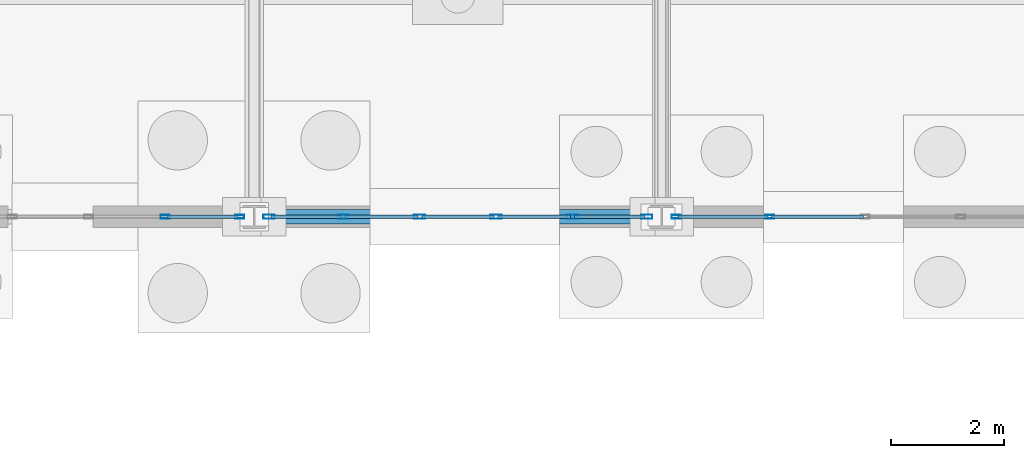
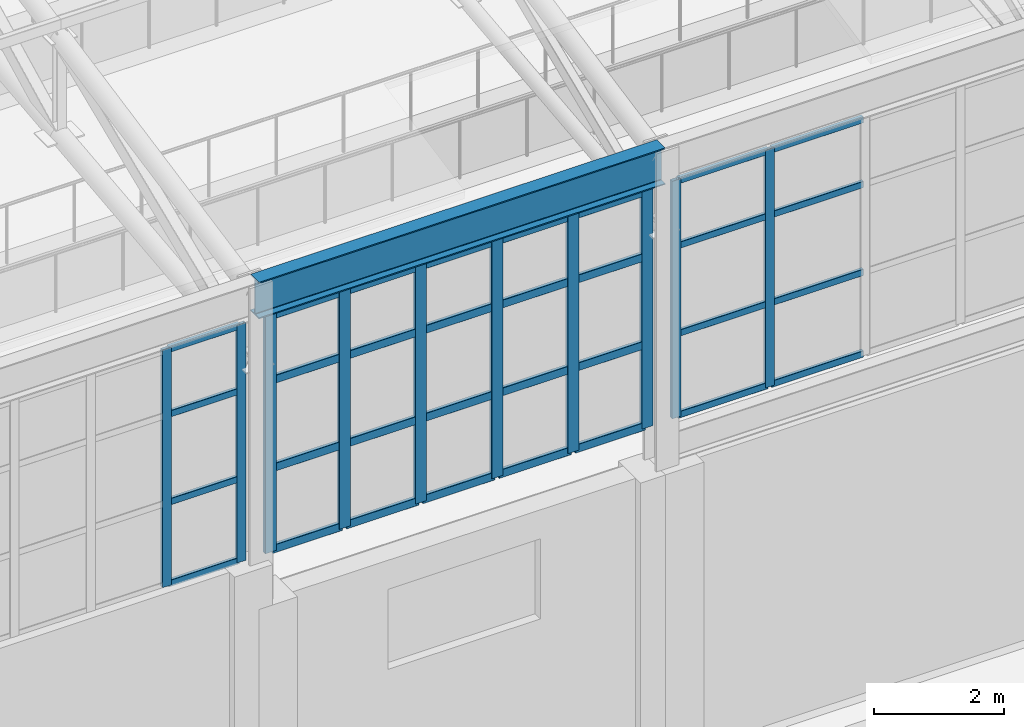
# One storey, part 125 of 293: 42 members, 1 beam, 3 elements without a shape of their own.
"""IFC4 building model written with IfcOpenShell, lengths in metres."""

import ifcopenshell
import ifcopenshell.guid

model = None  # the IFC model being written
_history = None  # IfcOwnerHistory: only IFC2X3 demands one
_inside = {}  # id of a spatial element -> (the spatial element, [elements in it])
_under = {}  # id of a project, library or spatial element -> (it, [spatial elements below it])
_declared = {}  # id of a project -> (the project, [libraries it declares])
_typed = {}  # id of a type object -> (the type object, [elements of that type])
_made_of = {}  # id of a material, layer set ... -> (it, [elements and type objects made of it])


def new_model(schema):
    """Start an empty IFC model of exactly this schema.

    Asked for "IFC4X3", IfcOpenShell would pick the latest addendum, in which some entities
    have other attributes; the version numbers below select the first issue.
    IFC2X3 requires an IfcOwnerHistory on every rooted entity: one is made here for all.
    """
    global model, _history
    if schema == "IFC4X3":
        model = ifcopenshell.file(schema_version=(4, 3, 0, 0))
    else:
        model = ifcopenshell.file(schema=schema)
    _inside.clear()
    _under.clear()
    _declared.clear()
    _typed.clear()
    _made_of.clear()
    _history = None
    if model.schema == "IFC2X3":
        org = make("IfcOrganization", Name="unknown")
        user = make(
            "IfcPersonAndOrganization",
            ThePerson=make("IfcPerson", FamilyName="unknown"),
            TheOrganization=org,
        )
        app = make(
            "IfcApplication",
            ApplicationDeveloper=org,
            Version="unknown",
            ApplicationFullName="unknown",
            ApplicationIdentifier="unknown",
        )
        _history = make(
            "IfcOwnerHistory",
            OwningUser=user,
            OwningApplication=app,
            ChangeAction="ADDED",
            CreationDate=0,
        )
    return model


def make(cls, **values):
    """One entity of the class cls with the attributes given. An attribute that is None is left unset."""
    return model.create_entity(
        cls, **{name: value for name, value in values.items() if value is not None}
    )


def rooted(cls, **values):
    """An entity with a GlobalId (a new one), such as an element, a storey or a relation."""
    return make(cls, GlobalId=ifcopenshell.guid.new(), OwnerHistory=_history, **values)


def si_unit(unit_type, name, prefix=None):
    """IfcSIUnit, for example si_unit("LENGTHUNIT", "METRE", prefix="MILLI")."""
    return make("IfcSIUnit", UnitType=unit_type, Prefix=prefix, Name=name)


def assignment(units):
    """IfcUnitAssignment: the units of a project."""
    return None if units is None else make("IfcUnitAssignment", Units=units)


def point(xyz):
    """IfcCartesianPoint."""
    return None if xyz is None else make("IfcCartesianPoint", Coordinates=xyz)


def direction(xyz):
    """IfcDirection."""
    return None if xyz is None else make("IfcDirection", DirectionRatios=xyz)


def frame(location, z_axis=None, x_axis=None):
    """IfcAxis2Placement3D, a coordinate frame: its origin and axes. An axis left out is left unset."""
    return make(
        "IfcAxis2Placement3D",
        Location=point(location),
        Axis=direction(z_axis),
        RefDirection=direction(x_axis),
    )


def frame_2d(location, x_axis=None):
    """IfcAxis2Placement2D, a coordinate frame in the plane: its origin and x axis."""
    return make(
        "IfcAxis2Placement2D", Location=point(location), RefDirection=direction(x_axis)
    )


def origin():
    """The frame at (0, 0, 0) with its axes left unset."""
    return frame((0.0, 0.0, 0.0))


def origin_2d():
    """The frame at (0, 0) in the plane with its x axis left unset."""
    return frame_2d((0.0, 0.0))


def place(relative_to, where):
    """IfcLocalPlacement: puts the frame where relative to a parent placement (None: the world)."""
    return make(
        "IfcLocalPlacement", PlacementRelTo=relative_to, RelativePlacement=where
    )


def context(
    kind, dimensions, precision=None, world=None, true_north=None, identifier=None
):
    """IfcGeometricRepresentationContext, for example the 3D "Model" context."""
    return make(
        "IfcGeometricRepresentationContext",
        ContextIdentifier=identifier,
        ContextType=kind,
        CoordinateSpaceDimension=dimensions,
        Precision=precision,
        WorldCoordinateSystem=world,
        TrueNorth=true_north,
    )


def subcontext(parent, identifier, kind, view, scale=None):
    """IfcGeometricRepresentationSubContext, for example "Body" below "Model"."""
    return make(
        "IfcGeometricRepresentationSubContext",
        ContextIdentifier=identifier,
        ContextType=kind,
        ParentContext=parent,
        TargetScale=scale,
        TargetView=view,
    )


def project(units=None, contexts=None):
    """IfcProject with its units and contexts."""
    return rooted(
        "IfcProject",
        Name="project",
        RepresentationContexts=contexts,
        UnitsInContext=assignment(units),
    )


def spatial(cls, under=None, at=None, **own):
    """A site, building, storey or space (cls), placed at a placement, below another one or the project."""
    s = rooted(cls, ObjectPlacement=at, **own)
    if under is not None:
        _under.setdefault(under.id(), (under, []))[1].append(s)
    return s


def profile(cls, at=None, kind="AREA", **sizes):
    """A parametric profile (cls). Its sizes go by their IFC names, for example OverallWidth=200.0."""
    return make(cls, ProfileType=kind, Position=at, **sizes)


def hollow_rectangle(**sizes):
    """IfcRectangleHollowProfileDef."""
    return profile("IfcRectangleHollowProfileDef", **sizes)


def i_section(**sizes):
    """IfcIShapeProfileDef."""
    return profile("IfcIShapeProfileDef", **sizes)


def extrude(swept, where, along, depth):
    """IfcExtrudedAreaSolid: the profile swept, set in the frame where, extruded along a direction by depth."""
    return make(
        "IfcExtrudedAreaSolid",
        SweptArea=swept,
        Position=where,
        ExtrudedDirection=direction(along),
        Depth=depth,
    )


def shape(context_of_items, identifier, shape_type, items):
    """IfcShapeRepresentation: the items that make up one representation, for example the "Body"."""
    return make(
        "IfcShapeRepresentation",
        ContextOfItems=context_of_items,
        RepresentationIdentifier=identifier,
        RepresentationType=shape_type,
        Items=items,
    )


def material(Name=None, Category=None):
    """IfcMaterial."""
    return make("IfcMaterial", Name=Name, Category=Category)


def layer(
    of_material, thickness, ventilated=None, Name=None, Category=None, Priority=None
):
    """IfcMaterialLayer: one layer of a wall or slab, of a material (None: an air gap)."""
    return make(
        "IfcMaterialLayer",
        Material=of_material,
        LayerThickness=thickness,
        IsVentilated=ventilated,
        Name=Name,
        Category=Category,
        Priority=Priority,
    )


def layer_set(layers, Name=None):
    """IfcMaterialLayerSet."""
    return make("IfcMaterialLayerSet", MaterialLayers=layers, LayerSetName=Name)


def material_profile(
    of_material, cross_section, Name=None, Category=None, Priority=None
):
    """IfcMaterialProfile: a cross section and its material."""
    return make(
        "IfcMaterialProfile",
        Name=Name,
        Material=of_material,
        Profile=cross_section,
        Priority=Priority,
        Category=Category,
    )


def profile_set(profiles, Name=None, composite=None):
    """IfcMaterialProfileSet."""
    return make(
        "IfcMaterialProfileSet",
        Name=Name,
        MaterialProfiles=profiles,
        CompositeProfile=composite,
    )


def made_of(thing, what):
    """Note that an element or type object is made of a material, layer set ...; save() writes the relation."""
    if what is not None:
        _made_of.setdefault(what.id(), (what, []))[1].append(thing)
    return thing


def type_object(cls, material=None, **own):
    """A type object (cls), such as IfcWallType, which elements share."""
    return made_of(rooted(cls, **own), material)


def element(
    cls,
    number,
    at=None,
    inside=None,
    cuts=None,
    type_object=None,
    material=None,
    context=None,
    identifier="Body",
    shape_type=None,
    held_by="IfcProductDefinitionShape",
    body=None,
    shapes=None,
    **own,
):
    """One element of the class cls, such as IfcWall. Its Tag is "e" and its number.

    at: its placement. inside: the storey or other place that contains it. cuts: it is an
    opening in that element (IfcRelVoidsElement). A single representation is given by context,
    identifier, shape_type and body (its items); several are given by shapes. held_by: the class
    of the entity that holds the representations. save() writes the other relations.
    """
    e = rooted(cls, Tag="e%d" % number, ObjectPlacement=at, **own)
    if body is not None:
        shapes = [shape(context, identifier, shape_type, body)]
    if shapes is not None:
        e.Representation = make(held_by, Representations=shapes)
    if inside is not None:
        _inside.setdefault(inside.id(), (inside, []))[1].append(e)
    if cuts is not None:
        rooted(
            "IfcRelVoidsElement", RelatingBuildingElement=cuts, RelatedOpeningElement=e
        )
    if type_object is not None:
        _typed.setdefault(type_object.id(), (type_object, []))[1].append(e)
    return made_of(e, material)


def aggregate(whole, parts):
    """IfcRelAggregates: a whole, such as a stair, and the parts it consists of."""
    return rooted("IfcRelAggregates", RelatingObject=whole, RelatedObjects=parts)


def save(model, path):
    """Write the relations noted so far, then the file.

    IfcRelAggregates (storeys below a building ...), IfcRelContainedInSpatialStructure (elements
    in a storey), IfcRelDefinesByType, IfcRelAssociatesMaterial and IfcRelDeclares: one each for
    every whole, place, type object, material and project.
    """
    for whole, parts in _under.values():
        aggregate(whole, parts)
    for where, things in _inside.values():
        rooted(
            "IfcRelContainedInSpatialStructure",
            RelatedElements=things,
            RelatingStructure=where,
        )
    for kind, things in _typed.values():
        rooted("IfcRelDefinesByType", RelatedObjects=things, RelatingType=kind)
    for what, things in _made_of.values():
        rooted("IfcRelAssociatesMaterial", RelatedObjects=things, RelatingMaterial=what)
    for by, libraries in _declared.values():
        rooted("IfcRelDeclares", RelatingContext=by, RelatedDefinitions=libraries)
    model.write(path)


model = new_model("IFC4")

# Units and contexts
model_context = context("Model", 3, precision=1e-05, world=origin(), true_north=direction((0.0, 1.0)))
body_context = subcontext(model_context, "Body", "Model", "MODEL_VIEW")
ifc_project = project(units=[si_unit("LENGTHUNIT", "METRE"), si_unit("AREAUNIT", "SQUARE_METRE"), si_unit("VOLUMEUNIT", "CUBIC_METRE"), si_unit("PLANEANGLEUNIT", "RADIAN"), si_unit("MASSUNIT", "GRAM", prefix="KILO")], contexts=[model_context])

# Site, building, storey
site_placement = place(None, origin())
site = spatial("IfcSite", under=ifc_project, at=site_placement, CompositionType="ELEMENT")
building_placement = place(site_placement, origin())
building = spatial("IfcBuilding", under=site, at=building_placement, Name="Kemerveld Promenade Tramway Depot", CompositionType="ELEMENT")
storey_placement = place(building_placement, origin())
storey = spatial("IfcBuildingStorey", under=building, at=storey_placement, Name="L00", CompositionType="ELEMENT", Elevation=0.0)

# Beam
ifc_material_1 = material(Name="Steel S355", Category="steel")
ifc_material_profile_1 = material_profile(ifc_material_1, i_section(OverallWidth=0.25439453125, OverallDepth=0.6875, WebThickness=0.01318359375, FlangeThickness=0.02099609375, FilletRadius=0.01513671875, at=origin_2d()), Name="686x254x152 UB")
ifc_profile_set_1 = profile_set([ifc_material_profile_1], Name="Steel S355")
beam_type = type_object("IfcBeamType", Name="BM-G03", PredefinedType="BEAM", material=ifc_profile_set_1)
beam_placement = place(storey_placement, frame((64.800048828125, 84.0, 11.056396484375), z_axis=(1.0, 0.0, 0.0), x_axis=(0.0, 1.0, 0.0)))
element("IfcBeam", 1, at=beam_placement, inside=storey, type_object=beam_type, Name="BM-SHED-EAVE-N-10", PredefinedType="BEAM", context=body_context, shape_type="SweptSolid", body=[
    extrude(i_section(OverallWidth=0.25439453125, OverallDepth=0.6875, WebThickness=0.01318359375, FlangeThickness=0.02099609375, FilletRadius=0.01513671875, at=origin_2d()), origin(), (0.0, 0.0, 1.0), 7.199951171875),
])

# Curtain wall, members
ifc_material_2 = material(Name="Bronze anodised aluminium and solar glass", Category="aluminium")
ifc_layer_1 = layer(ifc_material_2, 0.159912109375)
ifc_layer_set_1 = layer_set([ifc_layer_1], Name="CW-SYS-07")
curtain_wall_type_1 = type_object("IfcCurtainWallType", Name="CW-SYS-07", PredefinedType="USERDEFINED", material=ifc_layer_set_1)
curtain_wall_1_placement = place(storey_placement, origin())
curtain_wall_1 = element("IfcCurtainWall", 2, at=curtain_wall_1_placement, inside=storey, type_object=curtain_wall_type_1, Name="CW-V1-S-04", ObjectType="GLAZED_CURTAIN_WALL", PredefinedType="USERDEFINED")
ifc_material_3 = material(Name="Bronze anodised aluminium", Category="aluminium")
ifc_material_profile_2 = material_profile(ifc_material_3, hollow_rectangle(XDim=0.06494140625, YDim=0.159912109375, WallThickness=0.00390625, InnerFilletRadius=0.001953125, OuterFilletRadius=0.00390625, at=origin_2d()), Name="CW-MUL-160x65")
ifc_profile_set_2 = profile_set([ifc_material_profile_2], Name="Bronze anodised aluminium")
member_type_1 = type_object("IfcMemberType", Name="CW-MUL-A", PredefinedType="MULLION", material=ifc_profile_set_2)
member_1_placement = place(storey_placement, frame((64.544189453125, 84.0, 6.199951171875), z_axis=(0.0, 0.0, 1.0), x_axis=(0.0, -1.0, 0.0)))
member_1 = element("IfcMember", 3, at=member_1_placement, type_object=member_type_1, Name="CW07 mullion 1", PredefinedType="MULLION", context=body_context, shape_type="SweptSolid", body=[
    extrude(hollow_rectangle(XDim=0.06494140625, YDim=0.159912109375, WallThickness=0.00390625, InnerFilletRadius=0.001953125, OuterFilletRadius=0.00390625, at=origin_2d()), origin(), (0.0, 0.0, 1.0), 4.449951171875),
])
member_2_placement = place(storey_placement, frame((63.22607421875, 84.0, 6.199951171875), z_axis=(0.0, 0.0, 1.0), x_axis=(0.0, -1.0, 0.0)))
member_2 = element("IfcMember", 4, at=member_2_placement, type_object=member_type_1, Name="CW07 mullion 2", PredefinedType="MULLION", context=body_context, shape_type="SweptSolid", body=[
    extrude(hollow_rectangle(XDim=0.06494140625, YDim=0.159912109375, WallThickness=0.00390625, InnerFilletRadius=0.001953125, OuterFilletRadius=0.00390625, at=origin_2d()), origin(), (0.0, 0.0, 1.0), 4.449951171875),
])

ifc_layer_2 = layer(ifc_material_2, 0.159912109375)
ifc_layer_set_2 = layer_set([ifc_layer_2], Name="CW-SYS-09")
curtain_wall_type_2 = type_object("IfcCurtainWallType", Name="CW-SYS-09", PredefinedType="USERDEFINED", material=ifc_layer_set_2)
curtain_wall_2_placement = place(storey_placement, origin())
curtain_wall_2 = element("IfcCurtainWall", 5, at=curtain_wall_2_placement, inside=storey, type_object=curtain_wall_type_2, Name="CW-V1-S-06", ObjectType="GLAZED_CURTAIN_WALL", PredefinedType="USERDEFINED")
member_3_placement = place(storey_placement, frame((73.91162109375, 84.0, 6.199951171875), z_axis=(0.0, 0.0, 1.0), x_axis=(0.0, -1.0, 0.0)))
member_3 = element("IfcMember", 6, at=member_3_placement, type_object=member_type_1, Name="CW09 mullion 4", PredefinedType="MULLION", context=body_context, shape_type="SweptSolid", body=[
    extrude(hollow_rectangle(XDim=0.06494140625, YDim=0.159912109375, WallThickness=0.00390625, InnerFilletRadius=0.001953125, OuterFilletRadius=0.00390625, at=origin_2d()), origin(), (0.0, 0.0, 1.0), 4.449951171875),
])
member_4_placement = place(storey_placement, frame((72.255615234375, 84.0, 6.199951171875), z_axis=(0.0, 0.0, 1.0), x_axis=(0.0, -1.0, 0.0)))
member_4 = element("IfcMember", 7, at=member_4_placement, type_object=member_type_1, Name="CW09 mullion 5", PredefinedType="MULLION", context=body_context, shape_type="SweptSolid", body=[
    extrude(hollow_rectangle(XDim=0.06494140625, YDim=0.159912109375, WallThickness=0.00390625, InnerFilletRadius=0.001953125, OuterFilletRadius=0.00390625, at=origin_2d()), origin(), (0.0, 0.0, 1.0), 4.449951171875),
])

ifc_layer_3 = layer(ifc_material_2, 0.199951171875)
ifc_layer_set_3 = layer_set([ifc_layer_3], Name="CW-SYS-08")
curtain_wall_type_3 = type_object("IfcCurtainWallType", Name="CW-SYS-08", PredefinedType="USERDEFINED", material=ifc_layer_set_3)
curtain_wall_3_placement = place(storey_placement, origin())
curtain_wall_3 = element("IfcCurtainWall", 8, at=curtain_wall_3_placement, inside=storey, type_object=curtain_wall_type_3, Name="CW-V1-S-05", ObjectType="GLAZED_CURTAIN_WALL", PredefinedType="USERDEFINED")
ifc_material_profile_3 = material_profile(ifc_material_3, hollow_rectangle(XDim=0.074951171875, YDim=0.199951171875, WallThickness=0.0048828125, InnerFilletRadius=0.001953125, OuterFilletRadius=0.0048828125, at=origin_2d()), Name="CW-MUL-200x75")
ifc_profile_set_3 = profile_set([ifc_material_profile_3], Name="Bronze anodised aluminium")
member_type_2 = type_object("IfcMemberType", Name="CW-MUL-B", PredefinedType="MULLION", material=ifc_profile_set_3)
member_5_placement = place(storey_placement, frame((71.7392578125, 84.0, 6.199951171875), z_axis=(0.0, 0.0, 1.0), x_axis=(0.0, -1.0, 0.0)))
member_5 = element("IfcMember", 9, at=member_5_placement, type_object=member_type_2, Name="CW08 mullion 1", PredefinedType="MULLION", context=body_context, shape_type="SweptSolid", body=[
    extrude(hollow_rectangle(XDim=0.074951171875, YDim=0.199951171875, WallThickness=0.0048828125, InnerFilletRadius=0.001953125, OuterFilletRadius=0.0048828125, at=origin_2d()), origin(), (0.0, 0.0, 1.0), 4.449951171875),
])
member_6_placement = place(storey_placement, frame((70.426025390625, 84.0, 6.199951171875), z_axis=(0.0, 0.0, 1.0), x_axis=(0.0, -1.0, 0.0)))
member_6 = element("IfcMember", 10, at=member_6_placement, type_object=member_type_2, Name="CW08 mullion 2", PredefinedType="MULLION", context=body_context, shape_type="SweptSolid", body=[
    extrude(hollow_rectangle(XDim=0.074951171875, YDim=0.199951171875, WallThickness=0.0048828125, InnerFilletRadius=0.001953125, OuterFilletRadius=0.0048828125, at=origin_2d()), origin(), (0.0, 0.0, 1.0), 4.449951171875),
])
member_7_placement = place(storey_placement, frame((69.075439453125, 84.0, 6.199951171875), z_axis=(0.0, 0.0, 1.0), x_axis=(0.0, -1.0, 0.0)))
member_7 = element("IfcMember", 11, at=member_7_placement, type_object=member_type_2, Name="CW08 mullion 3", PredefinedType="MULLION", context=body_context, shape_type="SweptSolid", body=[
    extrude(hollow_rectangle(XDim=0.074951171875, YDim=0.199951171875, WallThickness=0.0048828125, InnerFilletRadius=0.001953125, OuterFilletRadius=0.0048828125, at=origin_2d()), origin(), (0.0, 0.0, 1.0), 4.449951171875),
])
member_8_placement = place(storey_placement, frame((67.724609375, 84.0, 6.199951171875), z_axis=(0.0, 0.0, 1.0), x_axis=(0.0, -1.0, 0.0)))
member_8 = element("IfcMember", 12, at=member_8_placement, type_object=member_type_2, Name="CW08 mullion 4", PredefinedType="MULLION", context=body_context, shape_type="SweptSolid", body=[
    extrude(hollow_rectangle(XDim=0.074951171875, YDim=0.199951171875, WallThickness=0.0048828125, InnerFilletRadius=0.001953125, OuterFilletRadius=0.0048828125, at=origin_2d()), origin(), (0.0, 0.0, 1.0), 4.449951171875),
])
member_9_placement = place(storey_placement, frame((66.3740234375, 84.0, 6.199951171875), z_axis=(0.0, 0.0, 1.0), x_axis=(0.0, -1.0, 0.0)))
member_9 = element("IfcMember", 13, at=member_9_placement, type_object=member_type_2, Name="CW08 mullion 5", PredefinedType="MULLION", context=body_context, shape_type="SweptSolid", body=[
    extrude(hollow_rectangle(XDim=0.074951171875, YDim=0.199951171875, WallThickness=0.0048828125, InnerFilletRadius=0.001953125, OuterFilletRadius=0.0048828125, at=origin_2d()), origin(), (0.0, 0.0, 1.0), 4.449951171875),
])
member_10_placement = place(storey_placement, frame((65.060791015625, 84.0, 6.199951171875), z_axis=(0.0, 0.0, 1.0), x_axis=(0.0, -1.0, 0.0)))
member_10 = element("IfcMember", 14, at=member_10_placement, type_object=member_type_2, Name="CW08 mullion 6", PredefinedType="MULLION", context=body_context, shape_type="SweptSolid", body=[
    extrude(hollow_rectangle(XDim=0.074951171875, YDim=0.199951171875, WallThickness=0.0048828125, InnerFilletRadius=0.001953125, OuterFilletRadius=0.0048828125, at=origin_2d()), origin(), (0.0, 0.0, 1.0), 4.449951171875),
])

# Member
ifc_material_profile_4 = material_profile(ifc_material_3, hollow_rectangle(XDim=0.06005859375, YDim=0.1201171875, WallThickness=0.00390625, InnerFilletRadius=0.001953125, OuterFilletRadius=0.00390625, at=origin_2d()), Name="CW-TRN-120x60")
ifc_profile_set_4 = profile_set([ifc_material_profile_4], Name="Bronze anodised aluminium")
member_type_3 = type_object("IfcMemberType", Name="CW-TRN-A", PredefinedType="USERDEFINED", material=ifc_profile_set_4)
member_11_placement = place(storey_placement, frame((64.51171875, 84.0, 6.22998046875), z_axis=(-1.0, 0.0, 0.0), x_axis=(0.0, -1.0, 0.0)))
member_11 = element("IfcMember", 15, at=member_11_placement, type_object=member_type_3, Name="CW07 transom 1.1", ObjectType="TRANSOM", PredefinedType="USERDEFINED", context=body_context, shape_type="SweptSolid", body=[
    extrude(hollow_rectangle(XDim=0.06005859375, YDim=0.1201171875, WallThickness=0.00390625, InnerFilletRadius=0.001953125, OuterFilletRadius=0.00390625, at=origin_2d()), origin(), (0.0, 0.0, 1.0), 1.253173828125),
])

member_12_placement = place(storey_placement, frame((64.51171875, 84.0, 7.758056640625), z_axis=(-1.0, 0.0, 0.0), x_axis=(0.0, -1.0, 0.0)))
member_12 = element("IfcMember", 16, at=member_12_placement, type_object=member_type_3, Name="CW07 transom 1.2", ObjectType="TRANSOM", PredefinedType="USERDEFINED", context=body_context, shape_type="SweptSolid", body=[
    extrude(hollow_rectangle(XDim=0.06005859375, YDim=0.1201171875, WallThickness=0.00390625, InnerFilletRadius=0.001953125, OuterFilletRadius=0.00390625, at=origin_2d()), origin(), (0.0, 0.0, 1.0), 1.253173828125),
])

member_13_placement = place(storey_placement, frame((64.51171875, 84.0, 9.404052734375), z_axis=(-1.0, 0.0, 0.0), x_axis=(0.0, -1.0, 0.0)))
member_13 = element("IfcMember", 17, at=member_13_placement, type_object=member_type_3, Name="CW07 transom 1.3", ObjectType="TRANSOM", PredefinedType="USERDEFINED", context=body_context, shape_type="SweptSolid", body=[
    extrude(hollow_rectangle(XDim=0.06005859375, YDim=0.1201171875, WallThickness=0.00390625, InnerFilletRadius=0.001953125, OuterFilletRadius=0.00390625, at=origin_2d()), origin(), (0.0, 0.0, 1.0), 1.253173828125),
])

member_14_placement = place(storey_placement, frame((64.51171875, 84.0, 10.6201171875), z_axis=(-1.0, 0.0, 0.0), x_axis=(0.0, -1.0, 0.0)))
member_14 = element("IfcMember", 18, at=member_14_placement, type_object=member_type_3, Name="CW07 transom 1.4", ObjectType="TRANSOM", PredefinedType="USERDEFINED", context=body_context, shape_type="SweptSolid", body=[
    extrude(hollow_rectangle(XDim=0.06005859375, YDim=0.1201171875, WallThickness=0.00390625, InnerFilletRadius=0.001953125, OuterFilletRadius=0.00390625, at=origin_2d()), origin(), (0.0, 0.0, 1.0), 1.253173828125),
])

aggregate(curtain_wall_1, [member_1, member_2, member_11, member_12, member_13, member_14])

member_15_placement = place(storey_placement, frame((75.5673828125, 84.0, 6.22998046875), z_axis=(-1.0, 0.0, 0.0), x_axis=(0.0, -1.0, 0.0)))
member_15 = element("IfcMember", 19, at=member_15_placement, type_object=member_type_3, Name="CW09 transom 3.1", ObjectType="TRANSOM", PredefinedType="USERDEFINED", context=body_context, shape_type="SweptSolid", body=[
    extrude(hollow_rectangle(XDim=0.06005859375, YDim=0.1201171875, WallThickness=0.00390625, InnerFilletRadius=0.001953125, OuterFilletRadius=0.00390625, at=origin_2d()), origin(), (0.0, 0.0, 1.0), 1.623291015625),
])

member_16_placement = place(storey_placement, frame((75.5673828125, 84.0, 7.758056640625), z_axis=(-1.0, 0.0, 0.0), x_axis=(0.0, -1.0, 0.0)))
member_16 = element("IfcMember", 20, at=member_16_placement, type_object=member_type_3, Name="CW09 transom 3.2", ObjectType="TRANSOM", PredefinedType="USERDEFINED", context=body_context, shape_type="SweptSolid", body=[
    extrude(hollow_rectangle(XDim=0.06005859375, YDim=0.1201171875, WallThickness=0.00390625, InnerFilletRadius=0.001953125, OuterFilletRadius=0.00390625, at=origin_2d()), origin(), (0.0, 0.0, 1.0), 1.623291015625),
])

member_17_placement = place(storey_placement, frame((75.5673828125, 84.0, 9.404052734375), z_axis=(-1.0, 0.0, 0.0), x_axis=(0.0, -1.0, 0.0)))
member_17 = element("IfcMember", 21, at=member_17_placement, type_object=member_type_3, Name="CW09 transom 3.3", ObjectType="TRANSOM", PredefinedType="USERDEFINED", context=body_context, shape_type="SweptSolid", body=[
    extrude(hollow_rectangle(XDim=0.06005859375, YDim=0.1201171875, WallThickness=0.00390625, InnerFilletRadius=0.001953125, OuterFilletRadius=0.00390625, at=origin_2d()), origin(), (0.0, 0.0, 1.0), 1.623291015625),
])

member_18_placement = place(storey_placement, frame((75.5673828125, 84.0, 10.6201171875), z_axis=(-1.0, 0.0, 0.0), x_axis=(0.0, -1.0, 0.0)))
member_18 = element("IfcMember", 22, at=member_18_placement, type_object=member_type_3, Name="CW09 transom 3.4", ObjectType="TRANSOM", PredefinedType="USERDEFINED", context=body_context, shape_type="SweptSolid", body=[
    extrude(hollow_rectangle(XDim=0.06005859375, YDim=0.1201171875, WallThickness=0.00390625, InnerFilletRadius=0.001953125, OuterFilletRadius=0.00390625, at=origin_2d()), origin(), (0.0, 0.0, 1.0), 1.623291015625),
])

member_19_placement = place(storey_placement, frame((73.879150390625, 84.0, 6.22998046875), z_axis=(-1.0, 0.0, 0.0), x_axis=(0.0, -1.0, 0.0)))
member_19 = element("IfcMember", 23, at=member_19_placement, type_object=member_type_3, Name="CW09 transom 4.1", ObjectType="TRANSOM", PredefinedType="USERDEFINED", context=body_context, shape_type="SweptSolid", body=[
    extrude(hollow_rectangle(XDim=0.06005859375, YDim=0.1201171875, WallThickness=0.00390625, InnerFilletRadius=0.001953125, OuterFilletRadius=0.00390625, at=origin_2d()), origin(), (0.0, 0.0, 1.0), 1.591064453125),
])

member_20_placement = place(storey_placement, frame((73.879150390625, 84.0, 7.758056640625), z_axis=(-1.0, 0.0, 0.0), x_axis=(0.0, -1.0, 0.0)))
member_20 = element("IfcMember", 24, at=member_20_placement, type_object=member_type_3, Name="CW09 transom 4.2", ObjectType="TRANSOM", PredefinedType="USERDEFINED", context=body_context, shape_type="SweptSolid", body=[
    extrude(hollow_rectangle(XDim=0.06005859375, YDim=0.1201171875, WallThickness=0.00390625, InnerFilletRadius=0.001953125, OuterFilletRadius=0.00390625, at=origin_2d()), origin(), (0.0, 0.0, 1.0), 1.591064453125),
])

member_21_placement = place(storey_placement, frame((73.879150390625, 84.0, 9.404052734375), z_axis=(-1.0, 0.0, 0.0), x_axis=(0.0, -1.0, 0.0)))
member_21 = element("IfcMember", 25, at=member_21_placement, type_object=member_type_3, Name="CW09 transom 4.3", ObjectType="TRANSOM", PredefinedType="USERDEFINED", context=body_context, shape_type="SweptSolid", body=[
    extrude(hollow_rectangle(XDim=0.06005859375, YDim=0.1201171875, WallThickness=0.00390625, InnerFilletRadius=0.001953125, OuterFilletRadius=0.00390625, at=origin_2d()), origin(), (0.0, 0.0, 1.0), 1.591064453125),
])

member_22_placement = place(storey_placement, frame((73.879150390625, 84.0, 10.6201171875), z_axis=(-1.0, 0.0, 0.0), x_axis=(0.0, -1.0, 0.0)))
member_22 = element("IfcMember", 26, at=member_22_placement, type_object=member_type_3, Name="CW09 transom 4.4", ObjectType="TRANSOM", PredefinedType="USERDEFINED", context=body_context, shape_type="SweptSolid", body=[
    extrude(hollow_rectangle(XDim=0.06005859375, YDim=0.1201171875, WallThickness=0.00390625, InnerFilletRadius=0.001953125, OuterFilletRadius=0.00390625, at=origin_2d()), origin(), (0.0, 0.0, 1.0), 1.591064453125),
])

aggregate(curtain_wall_2, [member_3, member_4, member_15, member_16, member_17, member_18, member_19, member_20, member_21, member_22])

ifc_material_profile_5 = material_profile(ifc_material_3, hollow_rectangle(XDim=0.06494140625, YDim=0.14990234375, WallThickness=0.00439453125, InnerFilletRadius=0.001953125, OuterFilletRadius=0.00439453125, at=origin_2d()), Name="CW-TRN-150x65")
ifc_profile_set_5 = profile_set([ifc_material_profile_5], Name="Bronze anodised aluminium")
member_type_4 = type_object("IfcMemberType", Name="CW-TRN-B", PredefinedType="USERDEFINED", material=ifc_profile_set_5)
member_23_placement = place(storey_placement, frame((71.701904296875, 84.0, 6.232421875), z_axis=(-1.0, 0.0, 0.0), x_axis=(0.0, -1.0, 0.0)))
member_23 = element("IfcMember", 27, at=member_23_placement, type_object=member_type_4, Name="CW08 transom 1.1", ObjectType="TRANSOM", PredefinedType="USERDEFINED", context=body_context, shape_type="SweptSolid", body=[
    extrude(hollow_rectangle(XDim=0.06494140625, YDim=0.14990234375, WallThickness=0.00439453125, InnerFilletRadius=0.001953125, OuterFilletRadius=0.00439453125, at=origin_2d()), origin(), (0.0, 0.0, 1.0), 1.23828125),
])

member_24_placement = place(storey_placement, frame((71.701904296875, 84.0, 7.758056640625), z_axis=(-1.0, 0.0, 0.0), x_axis=(0.0, -1.0, 0.0)))
member_24 = element("IfcMember", 28, at=member_24_placement, type_object=member_type_4, Name="CW08 transom 1.2", ObjectType="TRANSOM", PredefinedType="USERDEFINED", context=body_context, shape_type="SweptSolid", body=[
    extrude(hollow_rectangle(XDim=0.06494140625, YDim=0.14990234375, WallThickness=0.00439453125, InnerFilletRadius=0.001953125, OuterFilletRadius=0.00439453125, at=origin_2d()), origin(), (0.0, 0.0, 1.0), 1.23828125),
])

member_25_placement = place(storey_placement, frame((71.701904296875, 84.0, 9.404052734375), z_axis=(-1.0, 0.0, 0.0), x_axis=(0.0, -1.0, 0.0)))
member_25 = element("IfcMember", 29, at=member_25_placement, type_object=member_type_4, Name="CW08 transom 1.3", ObjectType="TRANSOM", PredefinedType="USERDEFINED", context=body_context, shape_type="SweptSolid", body=[
    extrude(hollow_rectangle(XDim=0.06494140625, YDim=0.14990234375, WallThickness=0.00439453125, InnerFilletRadius=0.001953125, OuterFilletRadius=0.00439453125, at=origin_2d()), origin(), (0.0, 0.0, 1.0), 1.23828125),
])

member_26_placement = place(storey_placement, frame((71.701904296875, 84.0, 10.617431640625), z_axis=(-1.0, 0.0, 0.0), x_axis=(0.0, -1.0, 0.0)))
member_26 = element("IfcMember", 30, at=member_26_placement, type_object=member_type_4, Name="CW08 transom 1.4", ObjectType="TRANSOM", PredefinedType="USERDEFINED", context=body_context, shape_type="SweptSolid", body=[
    extrude(hollow_rectangle(XDim=0.06494140625, YDim=0.14990234375, WallThickness=0.00439453125, InnerFilletRadius=0.001953125, OuterFilletRadius=0.00439453125, at=origin_2d()), origin(), (0.0, 0.0, 1.0), 1.23828125),
])

member_27_placement = place(storey_placement, frame((70.388671875, 84.0, 6.232421875), z_axis=(-1.0, 0.0, 0.0), x_axis=(0.0, -1.0, 0.0)))
member_27 = element("IfcMember", 31, at=member_27_placement, type_object=member_type_4, Name="CW08 transom 2.1", ObjectType="TRANSOM", PredefinedType="USERDEFINED", context=body_context, shape_type="SweptSolid", body=[
    extrude(hollow_rectangle(XDim=0.06494140625, YDim=0.14990234375, WallThickness=0.00439453125, InnerFilletRadius=0.001953125, OuterFilletRadius=0.00439453125, at=origin_2d()), origin(), (0.0, 0.0, 1.0), 1.27587890625),
])

member_28_placement = place(storey_placement, frame((70.388671875, 84.0, 7.758056640625), z_axis=(-1.0, 0.0, 0.0), x_axis=(0.0, -1.0, 0.0)))
member_28 = element("IfcMember", 32, at=member_28_placement, type_object=member_type_4, Name="CW08 transom 2.2", ObjectType="TRANSOM", PredefinedType="USERDEFINED", context=body_context, shape_type="SweptSolid", body=[
    extrude(hollow_rectangle(XDim=0.06494140625, YDim=0.14990234375, WallThickness=0.00439453125, InnerFilletRadius=0.001953125, OuterFilletRadius=0.00439453125, at=origin_2d()), origin(), (0.0, 0.0, 1.0), 1.27587890625),
])

member_29_placement = place(storey_placement, frame((70.388671875, 84.0, 9.404052734375), z_axis=(-1.0, 0.0, 0.0), x_axis=(0.0, -1.0, 0.0)))
member_29 = element("IfcMember", 33, at=member_29_placement, type_object=member_type_4, Name="CW08 transom 2.3", ObjectType="TRANSOM", PredefinedType="USERDEFINED", context=body_context, shape_type="SweptSolid", body=[
    extrude(hollow_rectangle(XDim=0.06494140625, YDim=0.14990234375, WallThickness=0.00439453125, InnerFilletRadius=0.001953125, OuterFilletRadius=0.00439453125, at=origin_2d()), origin(), (0.0, 0.0, 1.0), 1.27587890625),
])

member_30_placement = place(storey_placement, frame((70.388671875, 84.0, 10.617431640625), z_axis=(-1.0, 0.0, 0.0), x_axis=(0.0, -1.0, 0.0)))
member_30 = element("IfcMember", 34, at=member_30_placement, type_object=member_type_4, Name="CW08 transom 2.4", ObjectType="TRANSOM", PredefinedType="USERDEFINED", context=body_context, shape_type="SweptSolid", body=[
    extrude(hollow_rectangle(XDim=0.06494140625, YDim=0.14990234375, WallThickness=0.00439453125, InnerFilletRadius=0.001953125, OuterFilletRadius=0.00439453125, at=origin_2d()), origin(), (0.0, 0.0, 1.0), 1.27587890625),
])

member_31_placement = place(storey_placement, frame((69.037841796875, 84.0, 6.232421875), z_axis=(-1.0, 0.0, 0.0), x_axis=(0.0, -1.0, 0.0)))
member_31 = element("IfcMember", 35, at=member_31_placement, type_object=member_type_4, Name="CW08 transom 3.1", ObjectType="TRANSOM", PredefinedType="USERDEFINED", context=body_context, shape_type="SweptSolid", body=[
    extrude(hollow_rectangle(XDim=0.06494140625, YDim=0.14990234375, WallThickness=0.00439453125, InnerFilletRadius=0.001953125, OuterFilletRadius=0.00439453125, at=origin_2d()), origin(), (0.0, 0.0, 1.0), 1.275634765625),
])

member_32_placement = place(storey_placement, frame((69.037841796875, 84.0, 7.758056640625), z_axis=(-1.0, 0.0, 0.0), x_axis=(0.0, -1.0, 0.0)))
member_32 = element("IfcMember", 36, at=member_32_placement, type_object=member_type_4, Name="CW08 transom 3.2", ObjectType="TRANSOM", PredefinedType="USERDEFINED", context=body_context, shape_type="SweptSolid", body=[
    extrude(hollow_rectangle(XDim=0.06494140625, YDim=0.14990234375, WallThickness=0.00439453125, InnerFilletRadius=0.001953125, OuterFilletRadius=0.00439453125, at=origin_2d()), origin(), (0.0, 0.0, 1.0), 1.275634765625),
])

member_33_placement = place(storey_placement, frame((69.037841796875, 84.0, 9.404052734375), z_axis=(-1.0, 0.0, 0.0), x_axis=(0.0, -1.0, 0.0)))
member_33 = element("IfcMember", 37, at=member_33_placement, type_object=member_type_4, Name="CW08 transom 3.3", ObjectType="TRANSOM", PredefinedType="USERDEFINED", context=body_context, shape_type="SweptSolid", body=[
    extrude(hollow_rectangle(XDim=0.06494140625, YDim=0.14990234375, WallThickness=0.00439453125, InnerFilletRadius=0.001953125, OuterFilletRadius=0.00439453125, at=origin_2d()), origin(), (0.0, 0.0, 1.0), 1.275634765625),
])

member_34_placement = place(storey_placement, frame((69.037841796875, 84.0, 10.617431640625), z_axis=(-1.0, 0.0, 0.0), x_axis=(0.0, -1.0, 0.0)))
member_34 = element("IfcMember", 38, at=member_34_placement, type_object=member_type_4, Name="CW08 transom 3.4", ObjectType="TRANSOM", PredefinedType="USERDEFINED", context=body_context, shape_type="SweptSolid", body=[
    extrude(hollow_rectangle(XDim=0.06494140625, YDim=0.14990234375, WallThickness=0.00439453125, InnerFilletRadius=0.001953125, OuterFilletRadius=0.00439453125, at=origin_2d()), origin(), (0.0, 0.0, 1.0), 1.275634765625),
])

member_35_placement = place(storey_placement, frame((67.687255859375, 84.0, 6.232421875), z_axis=(-1.0, 0.0, 0.0), x_axis=(0.0, -1.0, 0.0)))
member_35 = element("IfcMember", 39, at=member_35_placement, type_object=member_type_4, Name="CW08 transom 4.1", ObjectType="TRANSOM", PredefinedType="USERDEFINED", context=body_context, shape_type="SweptSolid", body=[
    extrude(hollow_rectangle(XDim=0.06494140625, YDim=0.14990234375, WallThickness=0.00439453125, InnerFilletRadius=0.001953125, OuterFilletRadius=0.00439453125, at=origin_2d()), origin(), (0.0, 0.0, 1.0), 1.27587890625),
])

member_36_placement = place(storey_placement, frame((67.687255859375, 84.0, 7.758056640625), z_axis=(-1.0, 0.0, 0.0), x_axis=(0.0, -1.0, 0.0)))
member_36 = element("IfcMember", 40, at=member_36_placement, type_object=member_type_4, Name="CW08 transom 4.2", ObjectType="TRANSOM", PredefinedType="USERDEFINED", context=body_context, shape_type="SweptSolid", body=[
    extrude(hollow_rectangle(XDim=0.06494140625, YDim=0.14990234375, WallThickness=0.00439453125, InnerFilletRadius=0.001953125, OuterFilletRadius=0.00439453125, at=origin_2d()), origin(), (0.0, 0.0, 1.0), 1.27587890625),
])

member_37_placement = place(storey_placement, frame((67.687255859375, 84.0, 9.404052734375), z_axis=(-1.0, 0.0, 0.0), x_axis=(0.0, -1.0, 0.0)))
member_37 = element("IfcMember", 41, at=member_37_placement, type_object=member_type_4, Name="CW08 transom 4.3", ObjectType="TRANSOM", PredefinedType="USERDEFINED", context=body_context, shape_type="SweptSolid", body=[
    extrude(hollow_rectangle(XDim=0.06494140625, YDim=0.14990234375, WallThickness=0.00439453125, InnerFilletRadius=0.001953125, OuterFilletRadius=0.00439453125, at=origin_2d()), origin(), (0.0, 0.0, 1.0), 1.27587890625),
])

member_38_placement = place(storey_placement, frame((67.687255859375, 84.0, 10.617431640625), z_axis=(-1.0, 0.0, 0.0), x_axis=(0.0, -1.0, 0.0)))
member_38 = element("IfcMember", 42, at=member_38_placement, type_object=member_type_4, Name="CW08 transom 4.4", ObjectType="TRANSOM", PredefinedType="USERDEFINED", context=body_context, shape_type="SweptSolid", body=[
    extrude(hollow_rectangle(XDim=0.06494140625, YDim=0.14990234375, WallThickness=0.00439453125, InnerFilletRadius=0.001953125, OuterFilletRadius=0.00439453125, at=origin_2d()), origin(), (0.0, 0.0, 1.0), 1.27587890625),
])

member_39_placement = place(storey_placement, frame((66.33642578125, 84.0, 6.232421875), z_axis=(-1.0, 0.0, 0.0), x_axis=(0.0, -1.0, 0.0)))
member_39 = element("IfcMember", 43, at=member_39_placement, type_object=member_type_4, Name="CW08 transom 5.1", ObjectType="TRANSOM", PredefinedType="USERDEFINED", context=body_context, shape_type="SweptSolid", body=[
    extrude(hollow_rectangle(XDim=0.06494140625, YDim=0.14990234375, WallThickness=0.00439453125, InnerFilletRadius=0.001953125, OuterFilletRadius=0.00439453125, at=origin_2d()), origin(), (0.0, 0.0, 1.0), 1.23828125),
])

member_40_placement = place(storey_placement, frame((66.33642578125, 84.0, 7.758056640625), z_axis=(-1.0, 0.0, 0.0), x_axis=(0.0, -1.0, 0.0)))
member_40 = element("IfcMember", 44, at=member_40_placement, type_object=member_type_4, Name="CW08 transom 5.2", ObjectType="TRANSOM", PredefinedType="USERDEFINED", context=body_context, shape_type="SweptSolid", body=[
    extrude(hollow_rectangle(XDim=0.06494140625, YDim=0.14990234375, WallThickness=0.00439453125, InnerFilletRadius=0.001953125, OuterFilletRadius=0.00439453125, at=origin_2d()), origin(), (0.0, 0.0, 1.0), 1.23828125),
])

member_41_placement = place(storey_placement, frame((66.33642578125, 84.0, 9.404052734375), z_axis=(-1.0, 0.0, 0.0), x_axis=(0.0, -1.0, 0.0)))
member_41 = element("IfcMember", 45, at=member_41_placement, type_object=member_type_4, Name="CW08 transom 5.3", ObjectType="TRANSOM", PredefinedType="USERDEFINED", context=body_context, shape_type="SweptSolid", body=[
    extrude(hollow_rectangle(XDim=0.06494140625, YDim=0.14990234375, WallThickness=0.00439453125, InnerFilletRadius=0.001953125, OuterFilletRadius=0.00439453125, at=origin_2d()), origin(), (0.0, 0.0, 1.0), 1.23828125),
])

member_42_placement = place(storey_placement, frame((66.33642578125, 84.0, 10.617431640625), z_axis=(-1.0, 0.0, 0.0), x_axis=(0.0, -1.0, 0.0)))
member_42 = element("IfcMember", 46, at=member_42_placement, type_object=member_type_4, Name="CW08 transom 5.4", ObjectType="TRANSOM", PredefinedType="USERDEFINED", context=body_context, shape_type="SweptSolid", body=[
    extrude(hollow_rectangle(XDim=0.06494140625, YDim=0.14990234375, WallThickness=0.00439453125, InnerFilletRadius=0.001953125, OuterFilletRadius=0.00439453125, at=origin_2d()), origin(), (0.0, 0.0, 1.0), 1.23828125),
])

aggregate(curtain_wall_3, [member_5, member_6, member_7, member_8, member_9, member_10, member_23, member_24, member_25, member_26, member_27, member_28, member_29, member_30, member_31, member_32, member_33, member_34, member_35, member_36, member_37, member_38, member_39, member_40, member_41, member_42])

save(model, "model.ifc")
